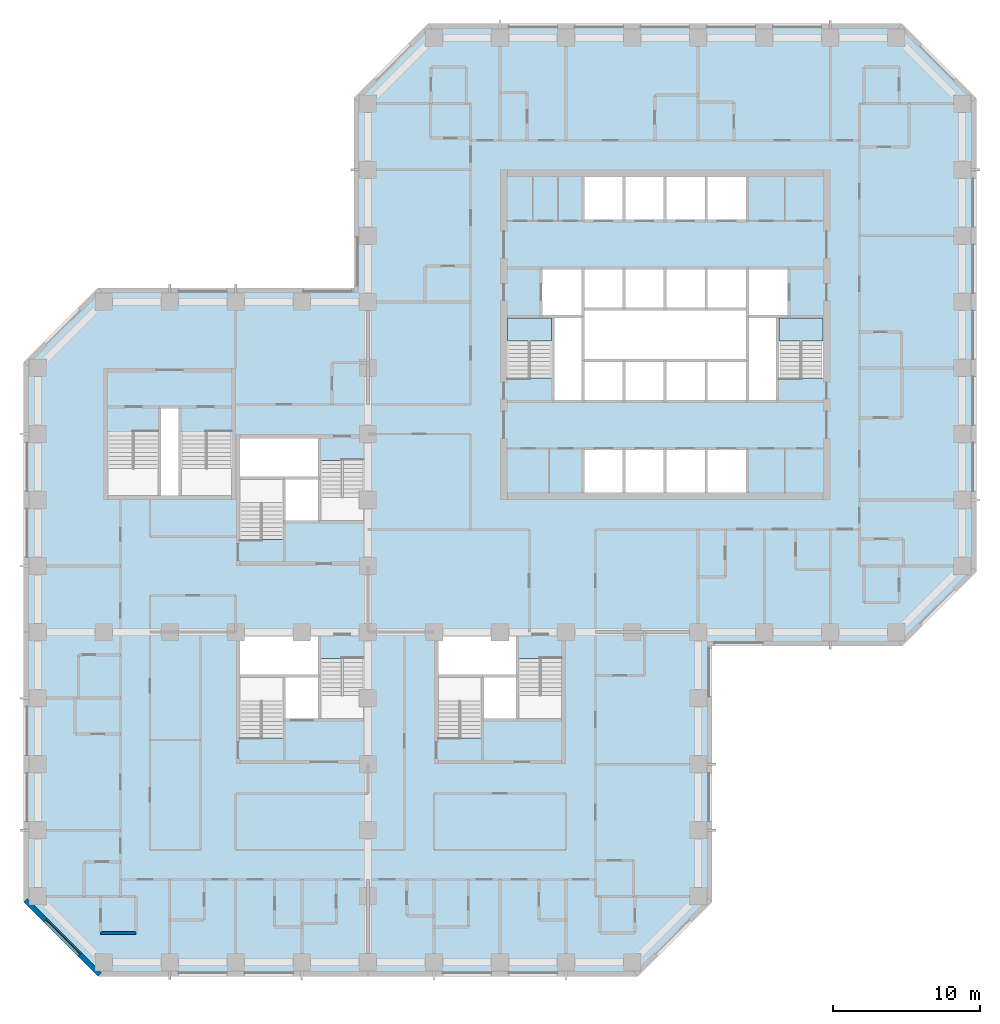
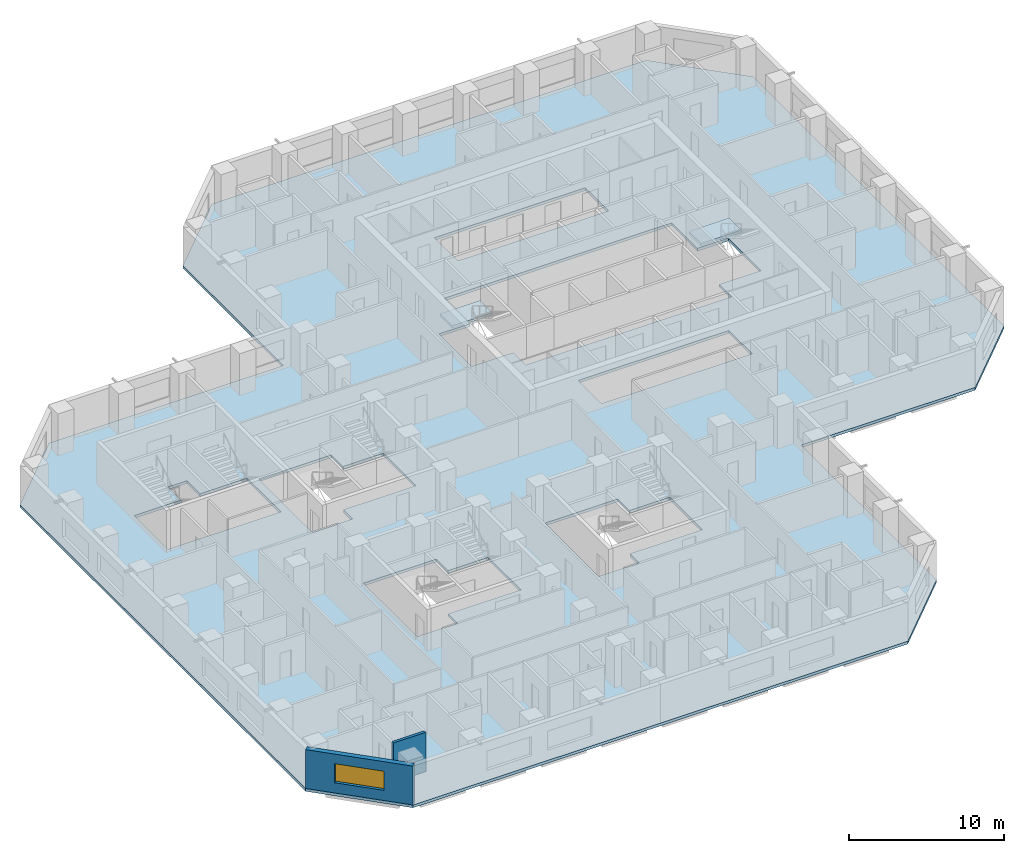
# One storey, part 2 of 13: 3 slabs, 2 walls, 1 window, 1 opening, 2 elements without a shape of their own.
"""IFC4 building model written with IfcOpenShell, lengths in metres."""

from ifc_helpers import new_model, si_unit, direction, frame, frame_2d, origin, place, context, subcontext, project, spatial, polyline, rectangle, outline, extrude, material, layer, layer_set, constituent, constituent_set, type_object, element, fill, aggregate, save


model = new_model("IFC4")

# Units and contexts
model_context = context("Model", 3, precision=1e-05, world=origin(), true_north=direction((0.0, 1.0)))
body_context = subcontext(model_context, "Body", "Model", "MODEL_VIEW")
ifc_project = project(units=[si_unit("LENGTHUNIT", "METRE"), si_unit("AREAUNIT", "SQUARE_METRE"), si_unit("VOLUMEUNIT", "CUBIC_METRE"), si_unit("PLANEANGLEUNIT", "RADIAN"), si_unit("MASSUNIT", "GRAM", prefix="KILO")], contexts=[model_context])

# Site, building, storey
site_placement = place(None, origin())
site = spatial("IfcSite", under=ifc_project, at=site_placement, CompositionType="ELEMENT")
building_placement = place(site_placement, origin())
building = spatial("IfcBuilding", under=site, at=building_placement, Name="Quoin Convention Tower", CompositionType="ELEMENT")
storey_placement = place(building_placement, frame((0.0, 0.0, 49.5)))
storey = spatial("IfcBuildingStorey", under=building, at=storey_placement, Name="L12", CompositionType="ELEMENT", Elevation=49.5)

# Slab
ifc_material_1 = material(Name="Concrete C50", Category="concrete")
ifc_layer_1 = layer(ifc_material_1, 0.219970703125)
ifc_layer_set_1 = layer_set([ifc_layer_1], Name="Concrete C50")
slab_type_1 = type_object("IfcSlabType", Name="RC SLAB 220 C50", PredefinedType="FLOOR", material=ifc_layer_set_1)
slab_1_placement = place(storey_placement, frame((0.0, 0.0, -0.219970703125)))
element("IfcSlab", 1, at=slab_1_placement, inside=storey, type_object=slab_type_1, Name="slb-L12", PredefinedType="FLOOR", context=body_context, shape_type="SweptSolid", body=[
    extrude(outline(polyline([(12.550048828125, 58.8935546875), (17.6064453125, 63.949951171875), (35.050048828125, 63.949951171875), (35.050048828125, 76.8935546875), (40.1064453125, 81.949951171875), (72.3935546875, 81.949951171875), (77.449951171875, 76.8935546875), (77.449951171875, 44.6064453125), (72.3935546875, 39.550048828125), (59.449951171875, 39.550048828125), (59.449951171875, 22.1064453125), (54.3935546875, 17.050048828125), (17.6064453125, 17.050048828125), (12.550048828125, 22.1064453125), (12.550048828125, 58.8935546875)]), holes=[polyline([(30.300048828125, 33.300537109375), (30.300048828125, 34.5), (32.699951171875, 34.5), (35.699951171875, 34.5), (35.699951171875, 38.699462890625), (32.699951171875, 38.699462890625), (32.699951171875, 40.199951171875), (27.300048828125, 40.199951171875), (27.300048828125, 37.5), (27.300048828125, 33.300537109375), (30.300048828125, 33.300537109375)]), polyline([(43.800048828125, 33.300537109375), (43.800048828125, 34.5), (46.199951171875, 34.5), (49.199951171875, 34.5), (49.199951171875, 38.699462890625), (46.199951171875, 38.699462890625), (46.199951171875, 40.199951171875), (40.800048828125, 40.199951171875), (40.800048828125, 37.5), (40.800048828125, 33.300537109375), (43.800048828125, 33.300537109375)]), polyline([(27.300048828125, 46.800537109375), (30.300048828125, 46.800537109375), (30.300048828125, 48.0), (32.699951171875, 48.0), (35.699951171875, 48.0), (35.699951171875, 52.199462890625), (32.699951171875, 52.199462890625), (32.699951171875, 53.699951171875), (27.300048828125, 53.699951171875), (27.300048828125, 51.0), (27.300048828125, 46.800537109375)]), polyline([(53.449951171875, 50.0), (56.25, 50.0), (59.050048828125, 50.0), (61.85009765625, 50.0), (61.85009765625, 53.0), (59.050048828125, 53.0), (56.25, 53.0), (53.449951171875, 53.0), (50.64990234375, 53.0), (50.64990234375, 50.0), (53.449951171875, 50.0)]), polyline([(23.199951171875, 49.800048828125), (26.699951171875, 49.800048828125), (26.699951171875, 54.1494140625), (23.199951171875, 54.1494140625), (23.199951171875, 55.85009765625), (21.800048828125, 55.85009765625), (21.800048828125, 54.1494140625), (18.300048828125, 54.1494140625), (18.300048828125, 49.800048828125), (21.800048828125, 49.800048828125), (23.199951171875, 49.800048828125)]), polyline([(45.5, 57.800537109375), (48.60009765625, 57.800537109375), (48.60009765625, 56.199951171875), (50.64990234375, 56.199951171875), (53.449951171875, 56.199951171875), (56.25, 56.199951171875), (59.050048828125, 56.199951171875), (61.85009765625, 56.199951171875), (63.89990234375, 56.199951171875), (63.89990234375, 57.800537109375), (67.0, 57.800537109375), (67.0, 62.0), (64.699951171875, 62.0), (64.699951171875, 65.300048828125), (61.85009765625, 65.300048828125), (59.050048828125, 65.300048828125), (56.25, 65.300048828125), (53.449951171875, 65.300048828125), (50.64990234375, 65.300048828125), (47.800048828125, 65.300048828125), (47.800048828125, 62.0), (45.5, 62.0), (45.5, 57.800537109375)]), polyline([(59.050048828125, 68.5), (61.85009765625, 68.5), (61.85009765625, 71.5), (59.050048828125, 71.5), (56.25, 71.5), (53.449951171875, 71.5), (50.64990234375, 71.5), (50.64990234375, 68.5), (53.449951171875, 68.5), (56.25, 68.5), (59.050048828125, 68.5)])]), origin(), (0.0, 0.0, 1.0), 0.219970703125),
])

# Stair, slab
ifc_material_2 = material(Name="Concrete C40", Category="concrete")
stair_type = type_object("IfcStairType", Name="Exit stair two-flight 1350", PredefinedType="HALF_TURN_STAIR", material=ifc_material_2)
stair_1_placement = place(storey_placement, origin())
stair_1 = element("IfcStair", 2, at=stair_1_placement, inside=storey, type_object=stair_type, Name="SD1 L12", PredefinedType="HALF_TURN_STAIR")
ifc_layer_2 = layer(ifc_material_2, 0.199951171875)
ifc_layer_set_2 = layer_set([ifc_layer_2], Name="Concrete C40")
slab_type_2 = type_object("IfcSlabType", Name="Stair landing 200", PredefinedType="LANDING", material=ifc_layer_set_2)
slab_2_placement = place(storey_placement, frame((0.0, 0.0, 1.449951171875)))
slab_2 = element("IfcSlab", 3, at=slab_2_placement, type_object=slab_type_2, Name="ST1 landing 1", PredefinedType="LANDING", context=body_context, shape_type="SweptSolid", body=[
    extrude(outline(polyline([(45.5, 60.320068359375), (48.5, 60.320068359375), (48.5, 61.89990234375), (45.5, 61.89990234375), (45.5, 60.320068359375)])), origin(), (0.0, 0.0, 1.0), 0.199951171875),
])
aggregate(stair_1, [slab_2])

stair_2_placement = place(storey_placement, origin())
stair_2 = element("IfcStair", 4, at=stair_2_placement, inside=storey, type_object=stair_type, Name="SD2 L12", PredefinedType="HALF_TURN_STAIR")
slab_3_placement = place(storey_placement, frame((0.0, 0.0, 1.449951171875)))
slab_3 = element("IfcSlab", 5, at=slab_3_placement, type_object=slab_type_2, Name="ST2 landing 1", PredefinedType="LANDING", context=body_context, shape_type="SweptSolid", body=[
    extrude(outline(polyline([(64.0, 60.320068359375), (67.0, 60.320068359375), (67.0, 61.89990234375), (64.0, 61.89990234375), (64.0, 60.320068359375)])), origin(), (0.0, 0.0, 1.0), 0.199951171875),
])
aggregate(stair_2, [slab_3])

# Wall, opening, window
ifc_material_3 = material(Name="Brick masonry", Category="masonry")
ifc_layer_3 = layer(ifc_material_3, 0.35009765625)
ifc_layer_set_3 = layer_set([ifc_layer_3], Name="Brick masonry")
wall_type_1 = type_object("IfcWallType", Name="Brick facade wall", PredefinedType="STANDARD", material=ifc_layer_set_3)
wall_1_placement = place(storey_placement, frame((12.673583984375, 22.230224609375, 0.0), z_axis=(0.0, 0.0, 1.0), x_axis=(0.707106781187, -0.707106781187, 0.0)))
wall_1 = element("IfcWall", 6, at=wall_1_placement, inside=storey, type_object=wall_type_1, Name="fw-L12-13500_22500", PredefinedType="STANDARD", context=body_context, shape_type="SweptSolid", body=[
    extrude(rectangle(XDim=7.151123046875, YDim=0.35009765625, at=frame_2d((3.57568359375, 0.0))), origin(), (0.0, 0.0, 1.0), 3.054931640625),
])
opening_placement = place(wall_1_placement, frame((1.925537109375, 0.0, 0.800048828125)))
opening = element("IfcOpeningElement", 7, at=opening_placement, cuts=wall_1, Name="Opening W-01", PredefinedType="OPENING", context=body_context, shape_type="SweptSolid", body=[
    extrude(rectangle(XDim=3.300048828125, YDim=1.5, at=frame_2d((1.64990234375, 0.75))), frame((0.0, 0.18505859375, 0.0), z_axis=(0.0, -1.0, 0.0), x_axis=(1.0, 0.0, 0.0)), (0.0, 0.0, 1.0), 0.3701171875),
])
ifc_material_4 = material(Name="Aluminium", Category="aluminium")
ifc_constituent_1 = constituent(ifc_material_4, Name="Frame")
ifc_material_5 = material(Name="Insulated glass", Category="glass")
ifc_constituent_2 = constituent(ifc_material_5, Name="Glazing")
ifc_constituent_set = constituent_set(constituents=[ifc_constituent_1, ifc_constituent_2], Name="Aluminium")
window_type = type_object("IfcWindowType", Name="Hotel strip window", PartitioningType="DOUBLE_PANEL_VERTICAL", PredefinedType="WINDOW", material=ifc_constituent_set)
window_placement = place(opening_placement, origin())
window = element("IfcWindow", 8, at=window_placement, inside=storey, type_object=window_type, Name="win-L12-15202_19702", OverallHeight=1.5, OverallWidth=3.300048828125, PartitioningType="SINGLE_PANEL", PredefinedType="WINDOW", context=body_context, shape_type="SweptSolid", body=[
    extrude(rectangle(XDim=3.300048828125, YDim=1.5, at=frame_2d((1.64990234375, 0.75))), frame((0.0, 0.0849609375, 0.0), z_axis=(0.0, -1.0, 0.0), x_axis=(1.0, 0.0, 0.0)), (0.0, 0.0, 1.0), 0.06005859375),
])
fill(opening, window)

# Wall
ifc_layer_4 = layer(ifc_material_1, 0.199951171875)
ifc_layer_set_4 = layer_set([ifc_layer_4], Name="Concrete C50")
wall_type_2 = type_object("IfcWallType", Name="RC party wall", PredefinedType="SOLIDWALL", material=ifc_layer_set_4)
wall_2_placement = place(storey_placement, frame((17.800048828125, 20.0, 0.0), z_axis=(0.0, 0.0, 1.0), x_axis=(1.0, 0.0, 0.0)))
element("IfcWall", 9, at=wall_2_placement, inside=storey, type_object=wall_type_2, Name="pw-L12-044", PredefinedType="SOLIDWALL", context=body_context, shape_type="SweptSolid", body=[
    extrude(rectangle(XDim=2.39990234375, YDim=0.199951171875, at=frame_2d((1.199951171875, 0.0))), origin(), (0.0, 0.0, 1.0), 3.080078125),
])

save(model, "model.ifc")
